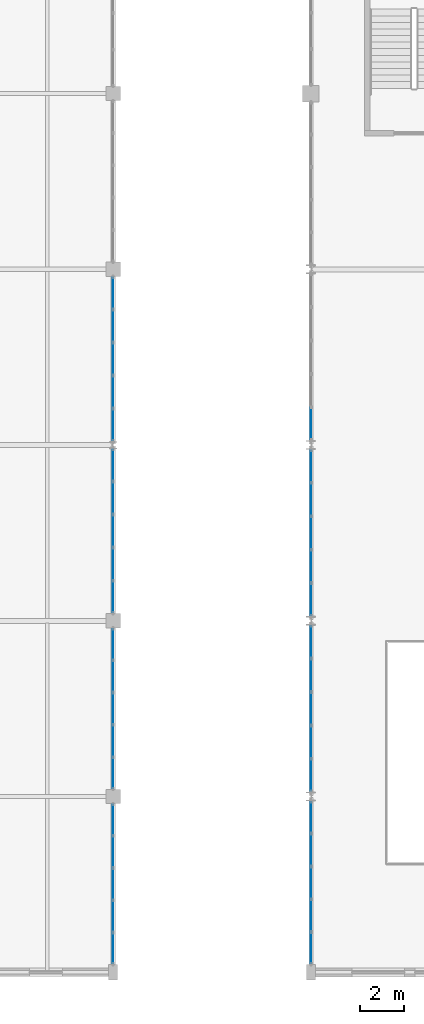
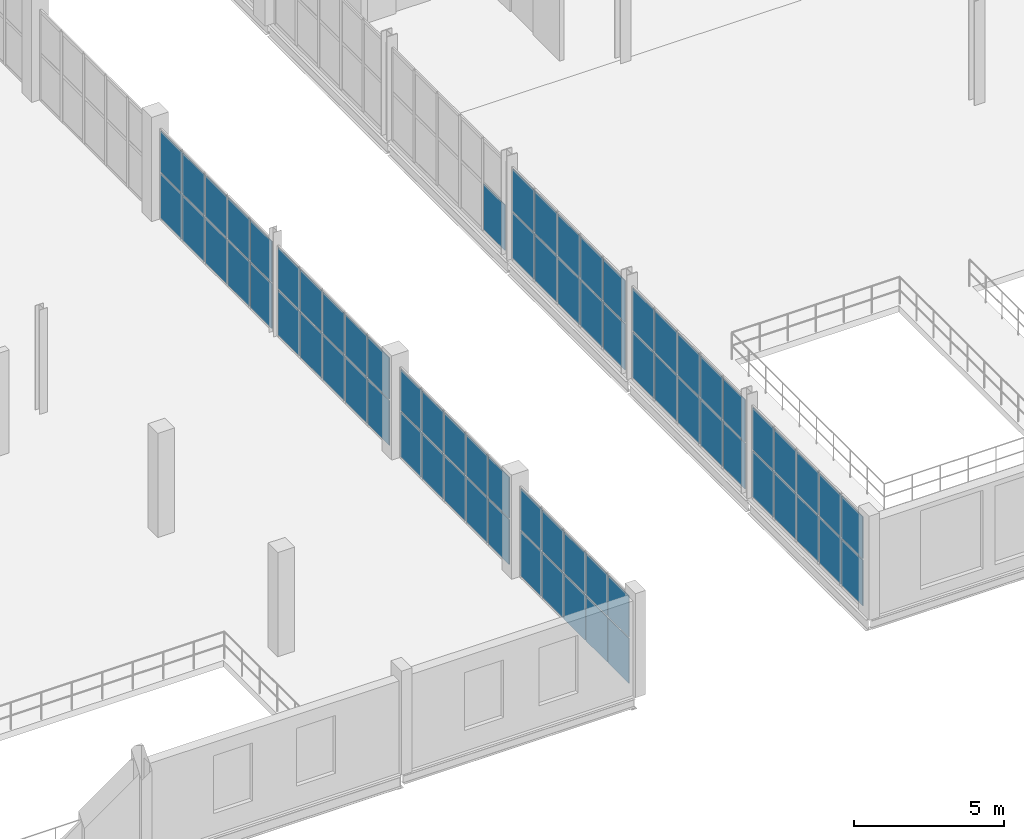
# One storey, part 50 of 85: 71 plates, 8 elements without a shape of their own.
"""IFC4 building model written with IfcOpenShell, lengths in metres."""

import ifcopenshell
import ifcopenshell.guid

model = None  # the IFC model being written
_history = None  # IfcOwnerHistory: only IFC2X3 demands one
_inside = {}  # id of a spatial element -> (the spatial element, [elements in it])
_under = {}  # id of a project, library or spatial element -> (it, [spatial elements below it])
_declared = {}  # id of a project -> (the project, [libraries it declares])
_typed = {}  # id of a type object -> (the type object, [elements of that type])
_made_of = {}  # id of a material, layer set ... -> (it, [elements and type objects made of it])


def new_model(schema):
    """Start an empty IFC model of exactly this schema.

    Asked for "IFC4X3", IfcOpenShell would pick the latest addendum, in which some entities
    have other attributes; the version numbers below select the first issue.
    IFC2X3 requires an IfcOwnerHistory on every rooted entity: one is made here for all.
    """
    global model, _history
    if schema == "IFC4X3":
        model = ifcopenshell.file(schema_version=(4, 3, 0, 0))
    else:
        model = ifcopenshell.file(schema=schema)
    _inside.clear()
    _under.clear()
    _declared.clear()
    _typed.clear()
    _made_of.clear()
    _history = None
    if model.schema == "IFC2X3":
        org = make("IfcOrganization", Name="unknown")
        user = make(
            "IfcPersonAndOrganization",
            ThePerson=make("IfcPerson", FamilyName="unknown"),
            TheOrganization=org,
        )
        app = make(
            "IfcApplication",
            ApplicationDeveloper=org,
            Version="unknown",
            ApplicationFullName="unknown",
            ApplicationIdentifier="unknown",
        )
        _history = make(
            "IfcOwnerHistory",
            OwningUser=user,
            OwningApplication=app,
            ChangeAction="ADDED",
            CreationDate=0,
        )
    return model


def make(cls, **values):
    """One entity of the class cls with the attributes given. An attribute that is None is left unset."""
    return model.create_entity(
        cls, **{name: value for name, value in values.items() if value is not None}
    )


def rooted(cls, **values):
    """An entity with a GlobalId (a new one), such as an element, a storey or a relation."""
    return make(cls, GlobalId=ifcopenshell.guid.new(), OwnerHistory=_history, **values)


def si_unit(unit_type, name, prefix=None):
    """IfcSIUnit, for example si_unit("LENGTHUNIT", "METRE", prefix="MILLI")."""
    return make("IfcSIUnit", UnitType=unit_type, Prefix=prefix, Name=name)


def assignment(units):
    """IfcUnitAssignment: the units of a project."""
    return None if units is None else make("IfcUnitAssignment", Units=units)


def point(xyz):
    """IfcCartesianPoint."""
    return None if xyz is None else make("IfcCartesianPoint", Coordinates=xyz)


def direction(xyz):
    """IfcDirection."""
    return None if xyz is None else make("IfcDirection", DirectionRatios=xyz)


def frame(location, z_axis=None, x_axis=None):
    """IfcAxis2Placement3D, a coordinate frame: its origin and axes. An axis left out is left unset."""
    return make(
        "IfcAxis2Placement3D",
        Location=point(location),
        Axis=direction(z_axis),
        RefDirection=direction(x_axis),
    )


def frame_2d(location, x_axis=None):
    """IfcAxis2Placement2D, a coordinate frame in the plane: its origin and x axis."""
    return make(
        "IfcAxis2Placement2D", Location=point(location), RefDirection=direction(x_axis)
    )


def origin():
    """The frame at (0, 0, 0) with its axes left unset."""
    return frame((0.0, 0.0, 0.0))


def origin_2d():
    """The frame at (0, 0) in the plane with its x axis left unset."""
    return frame_2d((0.0, 0.0))


def place(relative_to, where):
    """IfcLocalPlacement: puts the frame where relative to a parent placement (None: the world)."""
    return make(
        "IfcLocalPlacement", PlacementRelTo=relative_to, RelativePlacement=where
    )


def context(
    kind, dimensions, precision=None, world=None, true_north=None, identifier=None
):
    """IfcGeometricRepresentationContext, for example the 3D "Model" context."""
    return make(
        "IfcGeometricRepresentationContext",
        ContextIdentifier=identifier,
        ContextType=kind,
        CoordinateSpaceDimension=dimensions,
        Precision=precision,
        WorldCoordinateSystem=world,
        TrueNorth=true_north,
    )


def subcontext(parent, identifier, kind, view, scale=None):
    """IfcGeometricRepresentationSubContext, for example "Body" below "Model"."""
    return make(
        "IfcGeometricRepresentationSubContext",
        ContextIdentifier=identifier,
        ContextType=kind,
        ParentContext=parent,
        TargetScale=scale,
        TargetView=view,
    )


def project(units=None, contexts=None):
    """IfcProject with its units and contexts."""
    return rooted(
        "IfcProject",
        Name="project",
        RepresentationContexts=contexts,
        UnitsInContext=assignment(units),
    )


def spatial(cls, under=None, at=None, **own):
    """A site, building, storey or space (cls), placed at a placement, below another one or the project."""
    s = rooted(cls, ObjectPlacement=at, **own)
    if under is not None:
        _under.setdefault(under.id(), (under, []))[1].append(s)
    return s


def profile(cls, at=None, kind="AREA", **sizes):
    """A parametric profile (cls). Its sizes go by their IFC names, for example OverallWidth=200.0."""
    return make(cls, ProfileType=kind, Position=at, **sizes)


def rectangle(**sizes):
    """IfcRectangleProfileDef."""
    return profile("IfcRectangleProfileDef", **sizes)


def extrude(swept, where, along, depth):
    """IfcExtrudedAreaSolid: the profile swept, set in the frame where, extruded along a direction by depth."""
    return make(
        "IfcExtrudedAreaSolid",
        SweptArea=swept,
        Position=where,
        ExtrudedDirection=direction(along),
        Depth=depth,
    )


def shape(context_of_items, identifier, shape_type, items):
    """IfcShapeRepresentation: the items that make up one representation, for example the "Body"."""
    return make(
        "IfcShapeRepresentation",
        ContextOfItems=context_of_items,
        RepresentationIdentifier=identifier,
        RepresentationType=shape_type,
        Items=items,
    )


def material(Name=None, Category=None):
    """IfcMaterial."""
    return make("IfcMaterial", Name=Name, Category=Category)


def layer(
    of_material, thickness, ventilated=None, Name=None, Category=None, Priority=None
):
    """IfcMaterialLayer: one layer of a wall or slab, of a material (None: an air gap)."""
    return make(
        "IfcMaterialLayer",
        Material=of_material,
        LayerThickness=thickness,
        IsVentilated=ventilated,
        Name=Name,
        Category=Category,
        Priority=Priority,
    )


def layer_set(layers, Name=None):
    """IfcMaterialLayerSet."""
    return make("IfcMaterialLayerSet", MaterialLayers=layers, LayerSetName=Name)


def made_of(thing, what):
    """Note that an element or type object is made of a material, layer set ...; save() writes the relation."""
    if what is not None:
        _made_of.setdefault(what.id(), (what, []))[1].append(thing)
    return thing


def type_object(cls, material=None, **own):
    """A type object (cls), such as IfcWallType, which elements share."""
    return made_of(rooted(cls, **own), material)


def element(
    cls,
    number,
    at=None,
    inside=None,
    cuts=None,
    type_object=None,
    material=None,
    context=None,
    identifier="Body",
    shape_type=None,
    held_by="IfcProductDefinitionShape",
    body=None,
    shapes=None,
    **own,
):
    """One element of the class cls, such as IfcWall. Its Tag is "e" and its number.

    at: its placement. inside: the storey or other place that contains it. cuts: it is an
    opening in that element (IfcRelVoidsElement). A single representation is given by context,
    identifier, shape_type and body (its items); several are given by shapes. held_by: the class
    of the entity that holds the representations. save() writes the other relations.
    """
    e = rooted(cls, Tag="e%d" % number, ObjectPlacement=at, **own)
    if body is not None:
        shapes = [shape(context, identifier, shape_type, body)]
    if shapes is not None:
        e.Representation = make(held_by, Representations=shapes)
    if inside is not None:
        _inside.setdefault(inside.id(), (inside, []))[1].append(e)
    if cuts is not None:
        rooted(
            "IfcRelVoidsElement", RelatingBuildingElement=cuts, RelatedOpeningElement=e
        )
    if type_object is not None:
        _typed.setdefault(type_object.id(), (type_object, []))[1].append(e)
    return made_of(e, material)


def aggregate(whole, parts):
    """IfcRelAggregates: a whole, such as a stair, and the parts it consists of."""
    return rooted("IfcRelAggregates", RelatingObject=whole, RelatedObjects=parts)


def save(model, path):
    """Write the relations noted so far, then the file.

    IfcRelAggregates (storeys below a building ...), IfcRelContainedInSpatialStructure (elements
    in a storey), IfcRelDefinesByType, IfcRelAssociatesMaterial and IfcRelDeclares: one each for
    every whole, place, type object, material and project.
    """
    for whole, parts in _under.values():
        aggregate(whole, parts)
    for where, things in _inside.values():
        rooted(
            "IfcRelContainedInSpatialStructure",
            RelatedElements=things,
            RelatingStructure=where,
        )
    for kind, things in _typed.values():
        rooted("IfcRelDefinesByType", RelatedObjects=things, RelatingType=kind)
    for what, things in _made_of.values():
        rooted("IfcRelAssociatesMaterial", RelatedObjects=things, RelatingMaterial=what)
    for by, libraries in _declared.values():
        rooted("IfcRelDeclares", RelatingContext=by, RelatedDefinitions=libraries)
    model.write(path)


model = new_model("IFC4")

# Units and contexts
model_context = context("Model", 3, precision=1e-05, world=origin(), true_north=direction((0.0, 1.0)))
body_context = subcontext(model_context, "Body", "Model", "MODEL_VIEW")
ifc_project = project(units=[si_unit("LENGTHUNIT", "METRE"), si_unit("AREAUNIT", "SQUARE_METRE"), si_unit("VOLUMEUNIT", "CUBIC_METRE"), si_unit("PLANEANGLEUNIT", "RADIAN"), si_unit("MASSUNIT", "GRAM", prefix="KILO")], contexts=[model_context])

# Site, building, storey
site_placement = place(None, origin())
site = spatial("IfcSite", under=ifc_project, at=site_placement, CompositionType="ELEMENT")
building_placement = place(site_placement, origin())
building = spatial("IfcBuilding", under=site, at=building_placement, Name="Marnock Terrace Opera House", CompositionType="ELEMENT")
storey_placement = place(building_placement, frame((0.0, 0.0, 10.199951171875)))
storey = spatial("IfcBuildingStorey", under=building, at=storey_placement, Name="L02", CompositionType="ELEMENT", Elevation=10.199951171875)

# Curtain wall, plates
ifc_material_1 = material(Name="Anodised architectural bronze aluminium framing", Category="aluminium")
ifc_layer_1 = layer(ifc_material_1, 0.159912109375)
ifc_layer_set_1 = layer_set([ifc_layer_1], Name="Anodised architectural bronze aluminium framing")
curtain_wall_type_1 = type_object("IfcCurtainWallType", Name="CW-FOYER-80x42", PredefinedType="NOTDEFINED", material=ifc_layer_set_1)
curtain_wall_1_placement = place(storey_placement, origin())
curtain_wall_1 = element("IfcCurtainWall", 1, at=curtain_wall_1_placement, inside=storey, type_object=curtain_wall_type_1, Name="L02 glazed Beaux-Arts colonnade curtain wall CW-V1W-L02-01", PredefinedType="NOTDEFINED")
ifc_material_2 = material(Name="Double-glazed acoustic low-E laminated glass", Category="glass")
ifc_layer_2 = layer(ifc_material_2, 0.028076171875)
ifc_layer_set_2 = layer_set([ifc_layer_2], Name="Double-glazed acoustic low-E laminated glass")
plate_type = type_object("IfcPlateType", Name="CWP-GLZ-28", PredefinedType="CURTAIN_PANEL", material=ifc_layer_set_2)
plate_1_placement = place(storey_placement, frame((55.0, 9.106689453125, 0.06005859375), z_axis=(0.0, 0.0, 1.0), x_axis=(0.0, 1.0, 0.0)))
plate_1 = element("IfcPlate", 2, at=plate_1_placement, type_object=plate_type, Name="CW-62 panel 1.1", PredefinedType="CURTAIN_PANEL", context=body_context, shape_type="SweptSolid", body=[
    extrude(rectangle(XDim=1.401611328125, YDim=0.028076171875, at=origin_2d()), origin(), (0.0, 0.0, 1.0), 1.861328125),
])
plate_2_placement = place(storey_placement, frame((55.0, 9.106689453125, 1.9814453125), z_axis=(0.0, 0.0, 1.0), x_axis=(0.0, 1.0, 0.0)))
plate_2 = element("IfcPlate", 3, at=plate_2_placement, type_object=plate_type, Name="CW-62 panel 1.2", PredefinedType="CURTAIN_PANEL", context=body_context, shape_type="SweptSolid", body=[
    extrude(rectangle(XDim=1.401611328125, YDim=0.028076171875, at=origin_2d()), origin(), (0.0, 0.0, 1.0), 1.711181640625),
])
plate_3_placement = place(storey_placement, frame((55.0, 10.58349609375, 0.06005859375), z_axis=(0.0, 0.0, 1.0), x_axis=(0.0, 1.0, 0.0)))
plate_3 = element("IfcPlate", 4, at=plate_3_placement, type_object=plate_type, Name="CW-62 panel 2.1", PredefinedType="CURTAIN_PANEL", context=body_context, shape_type="SweptSolid", body=[
    extrude(rectangle(XDim=1.431640625, YDim=0.028076171875, at=origin_2d()), origin(), (0.0, 0.0, 1.0), 1.861328125),
])
plate_4_placement = place(storey_placement, frame((55.0, 10.58349609375, 1.9814453125), z_axis=(0.0, 0.0, 1.0), x_axis=(0.0, 1.0, 0.0)))
plate_4 = element("IfcPlate", 5, at=plate_4_placement, type_object=plate_type, Name="CW-62 panel 2.2", PredefinedType="CURTAIN_PANEL", context=body_context, shape_type="SweptSolid", body=[
    extrude(rectangle(XDim=1.431640625, YDim=0.028076171875, at=origin_2d()), origin(), (0.0, 0.0, 1.0), 1.711181640625),
])
plate_5_placement = place(storey_placement, frame((55.0, 12.074951171875, 0.06005859375), z_axis=(0.0, 0.0, 1.0), x_axis=(0.0, 1.0, 0.0)))
plate_5 = element("IfcPlate", 6, at=plate_5_placement, type_object=plate_type, Name="CW-62 panel 3.1", PredefinedType="CURTAIN_PANEL", context=body_context, shape_type="SweptSolid", body=[
    extrude(rectangle(XDim=1.431640625, YDim=0.028076171875, at=origin_2d()), origin(), (0.0, 0.0, 1.0), 1.861328125),
])
plate_6_placement = place(storey_placement, frame((55.0, 12.074951171875, 1.9814453125), z_axis=(0.0, 0.0, 1.0), x_axis=(0.0, 1.0, 0.0)))
plate_6 = element("IfcPlate", 7, at=plate_6_placement, type_object=plate_type, Name="CW-62 panel 3.2", PredefinedType="CURTAIN_PANEL", context=body_context, shape_type="SweptSolid", body=[
    extrude(rectangle(XDim=1.431640625, YDim=0.028076171875, at=origin_2d()), origin(), (0.0, 0.0, 1.0), 1.711181640625),
])
plate_7_placement = place(storey_placement, frame((55.0, 13.566650390625, 0.06005859375), z_axis=(0.0, 0.0, 1.0), x_axis=(0.0, 1.0, 0.0)))
plate_7 = element("IfcPlate", 8, at=plate_7_placement, type_object=plate_type, Name="CW-62 panel 4.1", PredefinedType="CURTAIN_PANEL", context=body_context, shape_type="SweptSolid", body=[
    extrude(rectangle(XDim=1.431640625, YDim=0.028076171875, at=origin_2d()), origin(), (0.0, 0.0, 1.0), 1.861328125),
])
plate_8_placement = place(storey_placement, frame((55.0, 13.566650390625, 1.9814453125), z_axis=(0.0, 0.0, 1.0), x_axis=(0.0, 1.0, 0.0)))
plate_8 = element("IfcPlate", 9, at=plate_8_placement, type_object=plate_type, Name="CW-62 panel 4.2", PredefinedType="CURTAIN_PANEL", context=body_context, shape_type="SweptSolid", body=[
    extrude(rectangle(XDim=1.431640625, YDim=0.028076171875, at=origin_2d()), origin(), (0.0, 0.0, 1.0), 1.711181640625),
])
plate_9_placement = place(storey_placement, frame((55.0, 15.043212890625, 0.06005859375), z_axis=(0.0, 0.0, 1.0), x_axis=(0.0, 1.0, 0.0)))
plate_9 = element("IfcPlate", 10, at=plate_9_placement, type_object=plate_type, Name="CW-62 panel 5.1", PredefinedType="CURTAIN_PANEL", context=body_context, shape_type="SweptSolid", body=[
    extrude(rectangle(XDim=1.401611328125, YDim=0.028076171875, at=origin_2d()), origin(), (0.0, 0.0, 1.0), 1.861328125),
])
plate_10_placement = place(storey_placement, frame((55.0, 15.043212890625, 1.9814453125), z_axis=(0.0, 0.0, 1.0), x_axis=(0.0, 1.0, 0.0)))
plate_10 = element("IfcPlate", 11, at=plate_10_placement, type_object=plate_type, Name="CW-62 panel 5.2", PredefinedType="CURTAIN_PANEL", context=body_context, shape_type="SweptSolid", body=[
    extrude(rectangle(XDim=1.401611328125, YDim=0.028076171875, at=origin_2d()), origin(), (0.0, 0.0, 1.0), 1.711181640625),
])
aggregate(curtain_wall_1, [plate_1, plate_2, plate_3, plate_4, plate_5, plate_6, plate_7, plate_8, plate_9, plate_10])

curtain_wall_2_placement = place(storey_placement, origin())
curtain_wall_2 = element("IfcCurtainWall", 12, at=curtain_wall_2_placement, inside=storey, type_object=curtain_wall_type_1, Name="L02 glazed Beaux-Arts colonnade curtain wall CW-V1W-L02-02", PredefinedType="NOTDEFINED")
plate_11_placement = place(storey_placement, frame((55.0, 16.9716796875, 0.06005859375), z_axis=(0.0, 0.0, 1.0), x_axis=(0.0, 1.0, 0.0)))
plate_11 = element("IfcPlate", 13, at=plate_11_placement, type_object=plate_type, Name="CW-62 panel 1.1", PredefinedType="CURTAIN_PANEL", context=body_context, shape_type="SweptSolid", body=[
    extrude(rectangle(XDim=1.431640625, YDim=0.028076171875, at=origin_2d()), origin(), (0.0, 0.0, 1.0), 1.861328125),
])
plate_12_placement = place(storey_placement, frame((55.0, 16.9716796875, 1.9814453125), z_axis=(0.0, 0.0, 1.0), x_axis=(0.0, 1.0, 0.0)))
plate_12 = element("IfcPlate", 14, at=plate_12_placement, type_object=plate_type, Name="CW-62 panel 1.2", PredefinedType="CURTAIN_PANEL", context=body_context, shape_type="SweptSolid", body=[
    extrude(rectangle(XDim=1.431640625, YDim=0.028076171875, at=origin_2d()), origin(), (0.0, 0.0, 1.0), 1.711181640625),
])
plate_13_placement = place(storey_placement, frame((55.0, 18.478515625, 0.06005859375), z_axis=(0.0, 0.0, 1.0), x_axis=(0.0, 1.0, 0.0)))
plate_13 = element("IfcPlate", 15, at=plate_13_placement, type_object=plate_type, Name="CW-62 panel 2.1", PredefinedType="CURTAIN_PANEL", context=body_context, shape_type="SweptSolid", body=[
    extrude(rectangle(XDim=1.461669921875, YDim=0.028076171875, at=origin_2d()), origin(), (0.0, 0.0, 1.0), 1.861328125),
])
plate_14_placement = place(storey_placement, frame((55.0, 18.478515625, 1.9814453125), z_axis=(0.0, 0.0, 1.0), x_axis=(0.0, 1.0, 0.0)))
plate_14 = element("IfcPlate", 16, at=plate_14_placement, type_object=plate_type, Name="CW-62 panel 2.2", PredefinedType="CURTAIN_PANEL", context=body_context, shape_type="SweptSolid", body=[
    extrude(rectangle(XDim=1.461669921875, YDim=0.028076171875, at=origin_2d()), origin(), (0.0, 0.0, 1.0), 1.711181640625),
])
plate_15_placement = place(storey_placement, frame((55.0, 20.0, 0.06005859375), z_axis=(0.0, 0.0, 1.0), x_axis=(0.0, 1.0, 0.0)))
plate_15 = element("IfcPlate", 17, at=plate_15_placement, type_object=plate_type, Name="CW-62 panel 3.1", PredefinedType="CURTAIN_PANEL", context=body_context, shape_type="SweptSolid", body=[
    extrude(rectangle(XDim=1.461669921875, YDim=0.028076171875, at=origin_2d()), origin(), (0.0, 0.0, 1.0), 1.861328125),
])
plate_16_placement = place(storey_placement, frame((55.0, 20.0, 1.9814453125), z_axis=(0.0, 0.0, 1.0), x_axis=(0.0, 1.0, 0.0)))
plate_16 = element("IfcPlate", 18, at=plate_16_placement, type_object=plate_type, Name="CW-62 panel 3.2", PredefinedType="CURTAIN_PANEL", context=body_context, shape_type="SweptSolid", body=[
    extrude(rectangle(XDim=1.461669921875, YDim=0.028076171875, at=origin_2d()), origin(), (0.0, 0.0, 1.0), 1.711181640625),
])
plate_17_placement = place(storey_placement, frame((55.0, 21.521484375, 0.06005859375), z_axis=(0.0, 0.0, 1.0), x_axis=(0.0, 1.0, 0.0)))
plate_17 = element("IfcPlate", 19, at=plate_17_placement, type_object=plate_type, Name="CW-62 panel 4.1", PredefinedType="CURTAIN_PANEL", context=body_context, shape_type="SweptSolid", body=[
    extrude(rectangle(XDim=1.461669921875, YDim=0.028076171875, at=origin_2d()), origin(), (0.0, 0.0, 1.0), 1.861328125),
])
plate_18_placement = place(storey_placement, frame((55.0, 21.521484375, 1.9814453125), z_axis=(0.0, 0.0, 1.0), x_axis=(0.0, 1.0, 0.0)))
plate_18 = element("IfcPlate", 20, at=plate_18_placement, type_object=plate_type, Name="CW-62 panel 4.2", PredefinedType="CURTAIN_PANEL", context=body_context, shape_type="SweptSolid", body=[
    extrude(rectangle(XDim=1.461669921875, YDim=0.028076171875, at=origin_2d()), origin(), (0.0, 0.0, 1.0), 1.711181640625),
])
plate_19_placement = place(storey_placement, frame((55.0, 23.0283203125, 0.06005859375), z_axis=(0.0, 0.0, 1.0), x_axis=(0.0, 1.0, 0.0)))
plate_19 = element("IfcPlate", 21, at=plate_19_placement, type_object=plate_type, Name="CW-62 panel 5.1", PredefinedType="CURTAIN_PANEL", context=body_context, shape_type="SweptSolid", body=[
    extrude(rectangle(XDim=1.431640625, YDim=0.028076171875, at=origin_2d()), origin(), (0.0, 0.0, 1.0), 1.861328125),
])
plate_20_placement = place(storey_placement, frame((55.0, 23.0283203125, 1.9814453125), z_axis=(0.0, 0.0, 1.0), x_axis=(0.0, 1.0, 0.0)))
plate_20 = element("IfcPlate", 22, at=plate_20_placement, type_object=plate_type, Name="CW-62 panel 5.2", PredefinedType="CURTAIN_PANEL", context=body_context, shape_type="SweptSolid", body=[
    extrude(rectangle(XDim=1.431640625, YDim=0.028076171875, at=origin_2d()), origin(), (0.0, 0.0, 1.0), 1.711181640625),
])
aggregate(curtain_wall_2, [plate_11, plate_12, plate_13, plate_14, plate_15, plate_16, plate_17, plate_18, plate_19, plate_20])

curtain_wall_3_placement = place(storey_placement, origin())
curtain_wall_3 = element("IfcCurtainWall", 23, at=curtain_wall_3_placement, inside=storey, type_object=curtain_wall_type_1, Name="L02 glazed Beaux-Arts colonnade curtain wall CW-V1W-L02-03", PredefinedType="NOTDEFINED")
plate_21_placement = place(storey_placement, frame((55.0, 24.9716796875, 0.06005859375), z_axis=(0.0, 0.0, 1.0), x_axis=(0.0, 1.0, 0.0)))
plate_21 = element("IfcPlate", 24, at=plate_21_placement, type_object=plate_type, Name="CW-62 panel 1.1", PredefinedType="CURTAIN_PANEL", context=body_context, shape_type="SweptSolid", body=[
    extrude(rectangle(XDim=1.431640625, YDim=0.028076171875, at=origin_2d()), origin(), (0.0, 0.0, 1.0), 1.861328125),
])
plate_22_placement = place(storey_placement, frame((55.0, 24.9716796875, 1.9814453125), z_axis=(0.0, 0.0, 1.0), x_axis=(0.0, 1.0, 0.0)))
plate_22 = element("IfcPlate", 25, at=plate_22_placement, type_object=plate_type, Name="CW-62 panel 1.2", PredefinedType="CURTAIN_PANEL", context=body_context, shape_type="SweptSolid", body=[
    extrude(rectangle(XDim=1.431640625, YDim=0.028076171875, at=origin_2d()), origin(), (0.0, 0.0, 1.0), 1.711181640625),
])
plate_23_placement = place(storey_placement, frame((55.0, 26.478515625, 0.06005859375), z_axis=(0.0, 0.0, 1.0), x_axis=(0.0, 1.0, 0.0)))
plate_23 = element("IfcPlate", 26, at=plate_23_placement, type_object=plate_type, Name="CW-62 panel 2.1", PredefinedType="CURTAIN_PANEL", context=body_context, shape_type="SweptSolid", body=[
    extrude(rectangle(XDim=1.461669921875, YDim=0.028076171875, at=origin_2d()), origin(), (0.0, 0.0, 1.0), 1.861328125),
])
plate_24_placement = place(storey_placement, frame((55.0, 26.478515625, 1.9814453125), z_axis=(0.0, 0.0, 1.0), x_axis=(0.0, 1.0, 0.0)))
plate_24 = element("IfcPlate", 27, at=plate_24_placement, type_object=plate_type, Name="CW-62 panel 2.2", PredefinedType="CURTAIN_PANEL", context=body_context, shape_type="SweptSolid", body=[
    extrude(rectangle(XDim=1.461669921875, YDim=0.028076171875, at=origin_2d()), origin(), (0.0, 0.0, 1.0), 1.711181640625),
])
plate_25_placement = place(storey_placement, frame((55.0, 28.0, 0.06005859375), z_axis=(0.0, 0.0, 1.0), x_axis=(0.0, 1.0, 0.0)))
plate_25 = element("IfcPlate", 28, at=plate_25_placement, type_object=plate_type, Name="CW-62 panel 3.1", PredefinedType="CURTAIN_PANEL", context=body_context, shape_type="SweptSolid", body=[
    extrude(rectangle(XDim=1.461669921875, YDim=0.028076171875, at=origin_2d()), origin(), (0.0, 0.0, 1.0), 1.861328125),
])
plate_26_placement = place(storey_placement, frame((55.0, 28.0, 1.9814453125), z_axis=(0.0, 0.0, 1.0), x_axis=(0.0, 1.0, 0.0)))
plate_26 = element("IfcPlate", 29, at=plate_26_placement, type_object=plate_type, Name="CW-62 panel 3.2", PredefinedType="CURTAIN_PANEL", context=body_context, shape_type="SweptSolid", body=[
    extrude(rectangle(XDim=1.461669921875, YDim=0.028076171875, at=origin_2d()), origin(), (0.0, 0.0, 1.0), 1.711181640625),
])
plate_27_placement = place(storey_placement, frame((55.0, 29.521484375, 0.06005859375), z_axis=(0.0, 0.0, 1.0), x_axis=(0.0, 1.0, 0.0)))
plate_27 = element("IfcPlate", 30, at=plate_27_placement, type_object=plate_type, Name="CW-62 panel 4.1", PredefinedType="CURTAIN_PANEL", context=body_context, shape_type="SweptSolid", body=[
    extrude(rectangle(XDim=1.461669921875, YDim=0.028076171875, at=origin_2d()), origin(), (0.0, 0.0, 1.0), 1.861328125),
])
plate_28_placement = place(storey_placement, frame((55.0, 29.521484375, 1.9814453125), z_axis=(0.0, 0.0, 1.0), x_axis=(0.0, 1.0, 0.0)))
plate_28 = element("IfcPlate", 31, at=plate_28_placement, type_object=plate_type, Name="CW-62 panel 4.2", PredefinedType="CURTAIN_PANEL", context=body_context, shape_type="SweptSolid", body=[
    extrude(rectangle(XDim=1.461669921875, YDim=0.028076171875, at=origin_2d()), origin(), (0.0, 0.0, 1.0), 1.711181640625),
])
plate_29_placement = place(storey_placement, frame((55.0, 31.0283203125, 0.06005859375), z_axis=(0.0, 0.0, 1.0), x_axis=(0.0, 1.0, 0.0)))
plate_29 = element("IfcPlate", 32, at=plate_29_placement, type_object=plate_type, Name="CW-62 panel 5.1", PredefinedType="CURTAIN_PANEL", context=body_context, shape_type="SweptSolid", body=[
    extrude(rectangle(XDim=1.431640625, YDim=0.028076171875, at=origin_2d()), origin(), (0.0, 0.0, 1.0), 1.861328125),
])
plate_30_placement = place(storey_placement, frame((55.0, 31.0283203125, 1.9814453125), z_axis=(0.0, 0.0, 1.0), x_axis=(0.0, 1.0, 0.0)))
plate_30 = element("IfcPlate", 33, at=plate_30_placement, type_object=plate_type, Name="CW-62 panel 5.2", PredefinedType="CURTAIN_PANEL", context=body_context, shape_type="SweptSolid", body=[
    extrude(rectangle(XDim=1.431640625, YDim=0.028076171875, at=origin_2d()), origin(), (0.0, 0.0, 1.0), 1.711181640625),
])
aggregate(curtain_wall_3, [plate_21, plate_22, plate_23, plate_24, plate_25, plate_26, plate_27, plate_28, plate_29, plate_30])

# Curtain wall, plate
curtain_wall_4_placement = place(storey_placement, origin())
curtain_wall_4 = element("IfcCurtainWall", 34, at=curtain_wall_4_placement, inside=storey, type_object=curtain_wall_type_1, Name="L02 glazed Beaux-Arts colonnade curtain wall CW-V1W-L02-04", PredefinedType="NOTDEFINED")
plate_31_placement = place(storey_placement, frame((55.0, 32.9716796875, 0.06005859375), z_axis=(0.0, 0.0, 1.0), x_axis=(0.0, 1.0, 0.0)))
plate_31 = element("IfcPlate", 35, at=plate_31_placement, type_object=plate_type, Name="CW-62 panel 1.1", PredefinedType="CURTAIN_PANEL", context=body_context, shape_type="SweptSolid", body=[
    extrude(rectangle(XDim=1.431640625, YDim=0.028076171875, at=origin_2d()), origin(), (0.0, 0.0, 1.0), 1.861328125),
])
aggregate(curtain_wall_4, [plate_31])

# Curtain wall, plates
ifc_layer_3 = layer(ifc_material_1, 0.159912109375)
ifc_layer_set_3 = layer_set([ifc_layer_3], Name="Anodised architectural bronze aluminium framing")
curtain_wall_type_2 = type_object("IfcCurtainWallType", Name="CW-COURT-80x42", PredefinedType="NOTDEFINED", material=ifc_layer_set_3)
curtain_wall_5_placement = place(storey_placement, origin())
curtain_wall_5 = element("IfcCurtainWall", 36, at=curtain_wall_5_placement, inside=storey, type_object=curtain_wall_type_2, Name="L02 glazed Beaux-Arts colonnade curtain wall CW-V3E-L02-01", PredefinedType="NOTDEFINED")
plate_32_placement = place(storey_placement, frame((46.0, 9.09423828125, 0.06005859375), z_axis=(0.0, 0.0, 1.0), x_axis=(0.0, 1.0, 0.0)))
plate_32 = element("IfcPlate", 37, at=plate_32_placement, type_object=plate_type, Name="CW-12 panel 1.1", PredefinedType="CURTAIN_PANEL", context=body_context, shape_type="SweptSolid", body=[
    extrude(rectangle(XDim=1.376708984375, YDim=0.028076171875, at=origin_2d()), origin(), (0.0, 0.0, 1.0), 1.82470703125),
])
plate_33_placement = place(storey_placement, frame((46.0, 9.09423828125, 1.94482421875), z_axis=(0.0, 0.0, 1.0), x_axis=(0.0, 1.0, 0.0)))
plate_33 = element("IfcPlate", 38, at=plate_33_placement, type_object=plate_type, Name="CW-12 panel 1.2", PredefinedType="CURTAIN_PANEL", context=body_context, shape_type="SweptSolid", body=[
    extrude(rectangle(XDim=1.376708984375, YDim=0.028076171875, at=origin_2d()), origin(), (0.0, 0.0, 1.0), 1.677490234375),
])
plate_34_placement = place(storey_placement, frame((46.0, 10.5458984375, 0.06005859375), z_axis=(0.0, 0.0, 1.0), x_axis=(0.0, 1.0, 0.0)))
plate_34 = element("IfcPlate", 39, at=plate_34_placement, type_object=plate_type, Name="CW-12 panel 2.1", PredefinedType="CURTAIN_PANEL", context=body_context, shape_type="SweptSolid", body=[
    extrude(rectangle(XDim=1.406494140625, YDim=0.028076171875, at=origin_2d()), origin(), (0.0, 0.0, 1.0), 1.82470703125),
])
plate_35_placement = place(storey_placement, frame((46.0, 10.5458984375, 1.94482421875), z_axis=(0.0, 0.0, 1.0), x_axis=(0.0, 1.0, 0.0)))
plate_35 = element("IfcPlate", 40, at=plate_35_placement, type_object=plate_type, Name="CW-12 panel 2.2", PredefinedType="CURTAIN_PANEL", context=body_context, shape_type="SweptSolid", body=[
    extrude(rectangle(XDim=1.406494140625, YDim=0.028076171875, at=origin_2d()), origin(), (0.0, 0.0, 1.0), 1.677490234375),
])
plate_36_placement = place(storey_placement, frame((46.0, 12.012451171875, 0.06005859375), z_axis=(0.0, 0.0, 1.0), x_axis=(0.0, 1.0, 0.0)))
plate_36 = element("IfcPlate", 41, at=plate_36_placement, type_object=plate_type, Name="CW-12 panel 3.1", PredefinedType="CURTAIN_PANEL", context=body_context, shape_type="SweptSolid", body=[
    extrude(rectangle(XDim=1.406494140625, YDim=0.028076171875, at=origin_2d()), origin(), (0.0, 0.0, 1.0), 1.82470703125),
])
plate_37_placement = place(storey_placement, frame((46.0, 12.012451171875, 1.94482421875), z_axis=(0.0, 0.0, 1.0), x_axis=(0.0, 1.0, 0.0)))
plate_37 = element("IfcPlate", 42, at=plate_37_placement, type_object=plate_type, Name="CW-12 panel 3.2", PredefinedType="CURTAIN_PANEL", context=body_context, shape_type="SweptSolid", body=[
    extrude(rectangle(XDim=1.406494140625, YDim=0.028076171875, at=origin_2d()), origin(), (0.0, 0.0, 1.0), 1.677490234375),
])
plate_38_placement = place(storey_placement, frame((46.0, 13.47900390625, 0.06005859375), z_axis=(0.0, 0.0, 1.0), x_axis=(0.0, 1.0, 0.0)))
plate_38 = element("IfcPlate", 43, at=plate_38_placement, type_object=plate_type, Name="CW-12 panel 4.1", PredefinedType="CURTAIN_PANEL", context=body_context, shape_type="SweptSolid", body=[
    extrude(rectangle(XDim=1.406494140625, YDim=0.028076171875, at=origin_2d()), origin(), (0.0, 0.0, 1.0), 1.82470703125),
])
plate_39_placement = place(storey_placement, frame((46.0, 13.47900390625, 1.94482421875), z_axis=(0.0, 0.0, 1.0), x_axis=(0.0, 1.0, 0.0)))
plate_39 = element("IfcPlate", 44, at=plate_39_placement, type_object=plate_type, Name="CW-12 panel 4.2", PredefinedType="CURTAIN_PANEL", context=body_context, shape_type="SweptSolid", body=[
    extrude(rectangle(XDim=1.406494140625, YDim=0.028076171875, at=origin_2d()), origin(), (0.0, 0.0, 1.0), 1.677490234375),
])
plate_40_placement = place(storey_placement, frame((46.0, 14.9306640625, 0.06005859375), z_axis=(0.0, 0.0, 1.0), x_axis=(0.0, 1.0, 0.0)))
plate_40 = element("IfcPlate", 45, at=plate_40_placement, type_object=plate_type, Name="CW-12 panel 5.1", PredefinedType="CURTAIN_PANEL", context=body_context, shape_type="SweptSolid", body=[
    extrude(rectangle(XDim=1.376708984375, YDim=0.028076171875, at=origin_2d()), origin(), (0.0, 0.0, 1.0), 1.82470703125),
])
plate_41_placement = place(storey_placement, frame((46.0, 14.9306640625, 1.94482421875), z_axis=(0.0, 0.0, 1.0), x_axis=(0.0, 1.0, 0.0)))
plate_41 = element("IfcPlate", 46, at=plate_41_placement, type_object=plate_type, Name="CW-12 panel 5.2", PredefinedType="CURTAIN_PANEL", context=body_context, shape_type="SweptSolid", body=[
    extrude(rectangle(XDim=1.376708984375, YDim=0.028076171875, at=origin_2d()), origin(), (0.0, 0.0, 1.0), 1.677490234375),
])
aggregate(curtain_wall_5, [plate_32, plate_33, plate_34, plate_35, plate_36, plate_37, plate_38, plate_39, plate_40, plate_41])

curtain_wall_6_placement = place(storey_placement, origin())
curtain_wall_6 = element("IfcCurtainWall", 47, at=curtain_wall_6_placement, inside=storey, type_object=curtain_wall_type_2, Name="L02 glazed Beaux-Arts colonnade curtain wall CW-V3E-L02-02", PredefinedType="NOTDEFINED")
plate_42_placement = place(storey_placement, frame((46.0, 17.07177734375, 0.06005859375), z_axis=(0.0, 0.0, 1.0), x_axis=(0.0, 1.0, 0.0)))
plate_42 = element("IfcPlate", 48, at=plate_42_placement, type_object=plate_type, Name="CW-12 panel 1.1", PredefinedType="CURTAIN_PANEL", context=body_context, shape_type="SweptSolid", body=[
    extrude(rectangle(XDim=1.381591796875, YDim=0.028076171875, at=origin_2d()), origin(), (0.0, 0.0, 1.0), 1.82470703125),
])
plate_43_placement = place(storey_placement, frame((46.0, 17.07177734375, 1.94482421875), z_axis=(0.0, 0.0, 1.0), x_axis=(0.0, 1.0, 0.0)))
plate_43 = element("IfcPlate", 49, at=plate_43_placement, type_object=plate_type, Name="CW-12 panel 1.2", PredefinedType="CURTAIN_PANEL", context=body_context, shape_type="SweptSolid", body=[
    extrude(rectangle(XDim=1.381591796875, YDim=0.028076171875, at=origin_2d()), origin(), (0.0, 0.0, 1.0), 1.677490234375),
])
plate_44_placement = place(storey_placement, frame((46.0, 18.5283203125, 0.06005859375), z_axis=(0.0, 0.0, 1.0), x_axis=(0.0, 1.0, 0.0)))
plate_44 = element("IfcPlate", 50, at=plate_44_placement, type_object=plate_type, Name="CW-12 panel 2.1", PredefinedType="CURTAIN_PANEL", context=body_context, shape_type="SweptSolid", body=[
    extrude(rectangle(XDim=1.41162109375, YDim=0.028076171875, at=origin_2d()), origin(), (0.0, 0.0, 1.0), 1.82470703125),
])
plate_45_placement = place(storey_placement, frame((46.0, 18.5283203125, 1.94482421875), z_axis=(0.0, 0.0, 1.0), x_axis=(0.0, 1.0, 0.0)))
plate_45 = element("IfcPlate", 51, at=plate_45_placement, type_object=plate_type, Name="CW-12 panel 2.2", PredefinedType="CURTAIN_PANEL", context=body_context, shape_type="SweptSolid", body=[
    extrude(rectangle(XDim=1.41162109375, YDim=0.028076171875, at=origin_2d()), origin(), (0.0, 0.0, 1.0), 1.677490234375),
])
plate_46_placement = place(storey_placement, frame((46.0, 20.0, 0.06005859375), z_axis=(0.0, 0.0, 1.0), x_axis=(0.0, 1.0, 0.0)))
plate_46 = element("IfcPlate", 52, at=plate_46_placement, type_object=plate_type, Name="CW-12 panel 3.1", PredefinedType="CURTAIN_PANEL", context=body_context, shape_type="SweptSolid", body=[
    extrude(rectangle(XDim=1.41162109375, YDim=0.028076171875, at=origin_2d()), origin(), (0.0, 0.0, 1.0), 1.82470703125),
])
plate_47_placement = place(storey_placement, frame((46.0, 20.0, 1.94482421875), z_axis=(0.0, 0.0, 1.0), x_axis=(0.0, 1.0, 0.0)))
plate_47 = element("IfcPlate", 53, at=plate_47_placement, type_object=plate_type, Name="CW-12 panel 3.2", PredefinedType="CURTAIN_PANEL", context=body_context, shape_type="SweptSolid", body=[
    extrude(rectangle(XDim=1.41162109375, YDim=0.028076171875, at=origin_2d()), origin(), (0.0, 0.0, 1.0), 1.677490234375),
])
plate_48_placement = place(storey_placement, frame((46.0, 21.4716796875, 0.06005859375), z_axis=(0.0, 0.0, 1.0), x_axis=(0.0, 1.0, 0.0)))
plate_48 = element("IfcPlate", 54, at=plate_48_placement, type_object=plate_type, Name="CW-12 panel 4.1", PredefinedType="CURTAIN_PANEL", context=body_context, shape_type="SweptSolid", body=[
    extrude(rectangle(XDim=1.41162109375, YDim=0.028076171875, at=origin_2d()), origin(), (0.0, 0.0, 1.0), 1.82470703125),
])
plate_49_placement = place(storey_placement, frame((46.0, 21.4716796875, 1.94482421875), z_axis=(0.0, 0.0, 1.0), x_axis=(0.0, 1.0, 0.0)))
plate_49 = element("IfcPlate", 55, at=plate_49_placement, type_object=plate_type, Name="CW-12 panel 4.2", PredefinedType="CURTAIN_PANEL", context=body_context, shape_type="SweptSolid", body=[
    extrude(rectangle(XDim=1.41162109375, YDim=0.028076171875, at=origin_2d()), origin(), (0.0, 0.0, 1.0), 1.677490234375),
])
plate_50_placement = place(storey_placement, frame((46.0, 22.92822265625, 0.06005859375), z_axis=(0.0, 0.0, 1.0), x_axis=(0.0, 1.0, 0.0)))
plate_50 = element("IfcPlate", 56, at=plate_50_placement, type_object=plate_type, Name="CW-12 panel 5.1", PredefinedType="CURTAIN_PANEL", context=body_context, shape_type="SweptSolid", body=[
    extrude(rectangle(XDim=1.381591796875, YDim=0.028076171875, at=origin_2d()), origin(), (0.0, 0.0, 1.0), 1.82470703125),
])
plate_51_placement = place(storey_placement, frame((46.0, 22.92822265625, 1.94482421875), z_axis=(0.0, 0.0, 1.0), x_axis=(0.0, 1.0, 0.0)))
plate_51 = element("IfcPlate", 57, at=plate_51_placement, type_object=plate_type, Name="CW-12 panel 5.2", PredefinedType="CURTAIN_PANEL", context=body_context, shape_type="SweptSolid", body=[
    extrude(rectangle(XDim=1.381591796875, YDim=0.028076171875, at=origin_2d()), origin(), (0.0, 0.0, 1.0), 1.677490234375),
])
aggregate(curtain_wall_6, [plate_42, plate_43, plate_44, plate_45, plate_46, plate_47, plate_48, plate_49, plate_50, plate_51])

curtain_wall_7_placement = place(storey_placement, origin())
curtain_wall_7 = element("IfcCurtainWall", 58, at=curtain_wall_7_placement, inside=storey, type_object=curtain_wall_type_2, Name="L02 glazed Beaux-Arts colonnade curtain wall CW-V3E-L02-03", PredefinedType="NOTDEFINED")
plate_52_placement = place(storey_placement, frame((46.0, 25.088623046875, 0.06005859375), z_axis=(0.0, 0.0, 1.0), x_axis=(0.0, 1.0, 0.0)))
plate_52 = element("IfcPlate", 59, at=plate_52_placement, type_object=plate_type, Name="CW-12 panel 1.1", PredefinedType="CURTAIN_PANEL", context=body_context, shape_type="SweptSolid", body=[
    extrude(rectangle(XDim=1.4150390625, YDim=0.028076171875, at=origin_2d()), origin(), (0.0, 0.0, 1.0), 1.82470703125),
])
plate_53_placement = place(storey_placement, frame((46.0, 25.088623046875, 1.94482421875), z_axis=(0.0, 0.0, 1.0), x_axis=(0.0, 1.0, 0.0)))
plate_53 = element("IfcPlate", 60, at=plate_53_placement, type_object=plate_type, Name="CW-12 panel 1.2", PredefinedType="CURTAIN_PANEL", context=body_context, shape_type="SweptSolid", body=[
    extrude(rectangle(XDim=1.4150390625, YDim=0.028076171875, at=origin_2d()), origin(), (0.0, 0.0, 1.0), 1.677490234375),
])
plate_54_placement = place(storey_placement, frame((46.0, 26.57861328125, 0.06005859375), z_axis=(0.0, 0.0, 1.0), x_axis=(0.0, 1.0, 0.0)))
plate_54 = element("IfcPlate", 61, at=plate_54_placement, type_object=plate_type, Name="CW-12 panel 2.1", PredefinedType="CURTAIN_PANEL", context=body_context, shape_type="SweptSolid", body=[
    extrude(rectangle(XDim=1.445068359375, YDim=0.028076171875, at=origin_2d()), origin(), (0.0, 0.0, 1.0), 1.82470703125),
])
plate_55_placement = place(storey_placement, frame((46.0, 26.57861328125, 1.94482421875), z_axis=(0.0, 0.0, 1.0), x_axis=(0.0, 1.0, 0.0)))
plate_55 = element("IfcPlate", 62, at=plate_55_placement, type_object=plate_type, Name="CW-12 panel 2.2", PredefinedType="CURTAIN_PANEL", context=body_context, shape_type="SweptSolid", body=[
    extrude(rectangle(XDim=1.445068359375, YDim=0.028076171875, at=origin_2d()), origin(), (0.0, 0.0, 1.0), 1.677490234375),
])
plate_56_placement = place(storey_placement, frame((46.0, 28.083740234375, 0.06005859375), z_axis=(0.0, 0.0, 1.0), x_axis=(0.0, 1.0, 0.0)))
plate_56 = element("IfcPlate", 63, at=plate_56_placement, type_object=plate_type, Name="CW-12 panel 3.1", PredefinedType="CURTAIN_PANEL", context=body_context, shape_type="SweptSolid", body=[
    extrude(rectangle(XDim=1.445068359375, YDim=0.028076171875, at=origin_2d()), origin(), (0.0, 0.0, 1.0), 1.82470703125),
])
plate_57_placement = place(storey_placement, frame((46.0, 28.083740234375, 1.94482421875), z_axis=(0.0, 0.0, 1.0), x_axis=(0.0, 1.0, 0.0)))
plate_57 = element("IfcPlate", 64, at=plate_57_placement, type_object=plate_type, Name="CW-12 panel 3.2", PredefinedType="CURTAIN_PANEL", context=body_context, shape_type="SweptSolid", body=[
    extrude(rectangle(XDim=1.445068359375, YDim=0.028076171875, at=origin_2d()), origin(), (0.0, 0.0, 1.0), 1.677490234375),
])
plate_58_placement = place(storey_placement, frame((46.0, 29.589111328125, 0.06005859375), z_axis=(0.0, 0.0, 1.0), x_axis=(0.0, 1.0, 0.0)))
plate_58 = element("IfcPlate", 65, at=plate_58_placement, type_object=plate_type, Name="CW-12 panel 4.1", PredefinedType="CURTAIN_PANEL", context=body_context, shape_type="SweptSolid", body=[
    extrude(rectangle(XDim=1.445068359375, YDim=0.028076171875, at=origin_2d()), origin(), (0.0, 0.0, 1.0), 1.82470703125),
])
plate_59_placement = place(storey_placement, frame((46.0, 29.589111328125, 1.94482421875), z_axis=(0.0, 0.0, 1.0), x_axis=(0.0, 1.0, 0.0)))
plate_59 = element("IfcPlate", 66, at=plate_59_placement, type_object=plate_type, Name="CW-12 panel 4.2", PredefinedType="CURTAIN_PANEL", context=body_context, shape_type="SweptSolid", body=[
    extrude(rectangle(XDim=1.445068359375, YDim=0.028076171875, at=origin_2d()), origin(), (0.0, 0.0, 1.0), 1.677490234375),
])
plate_60_placement = place(storey_placement, frame((46.0, 31.0791015625, 0.06005859375), z_axis=(0.0, 0.0, 1.0), x_axis=(0.0, 1.0, 0.0)))
plate_60 = element("IfcPlate", 67, at=plate_60_placement, type_object=plate_type, Name="CW-12 panel 5.1", PredefinedType="CURTAIN_PANEL", context=body_context, shape_type="SweptSolid", body=[
    extrude(rectangle(XDim=1.4150390625, YDim=0.028076171875, at=origin_2d()), origin(), (0.0, 0.0, 1.0), 1.82470703125),
])
plate_61_placement = place(storey_placement, frame((46.0, 31.0791015625, 1.94482421875), z_axis=(0.0, 0.0, 1.0), x_axis=(0.0, 1.0, 0.0)))
plate_61 = element("IfcPlate", 68, at=plate_61_placement, type_object=plate_type, Name="CW-12 panel 5.2", PredefinedType="CURTAIN_PANEL", context=body_context, shape_type="SweptSolid", body=[
    extrude(rectangle(XDim=1.4150390625, YDim=0.028076171875, at=origin_2d()), origin(), (0.0, 0.0, 1.0), 1.677490234375),
])
aggregate(curtain_wall_7, [plate_52, plate_53, plate_54, plate_55, plate_56, plate_57, plate_58, plate_59, plate_60, plate_61])

curtain_wall_8_placement = place(storey_placement, origin())
curtain_wall_8 = element("IfcCurtainWall", 69, at=curtain_wall_8_placement, inside=storey, type_object=curtain_wall_type_2, Name="L02 glazed Beaux-Arts colonnade curtain wall CW-V3E-L02-04", PredefinedType="NOTDEFINED")
plate_62_placement = place(storey_placement, frame((46.0, 32.9208984375, 0.06005859375), z_axis=(0.0, 0.0, 1.0), x_axis=(0.0, 1.0, 0.0)))
plate_62 = element("IfcPlate", 70, at=plate_62_placement, type_object=plate_type, Name="CW-12 panel 1.1", PredefinedType="CURTAIN_PANEL", context=body_context, shape_type="SweptSolid", body=[
    extrude(rectangle(XDim=1.4150390625, YDim=0.028076171875, at=origin_2d()), origin(), (0.0, 0.0, 1.0), 1.82470703125),
])
plate_63_placement = place(storey_placement, frame((46.0, 32.9208984375, 1.94482421875), z_axis=(0.0, 0.0, 1.0), x_axis=(0.0, 1.0, 0.0)))
plate_63 = element("IfcPlate", 71, at=plate_63_placement, type_object=plate_type, Name="CW-12 panel 1.2", PredefinedType="CURTAIN_PANEL", context=body_context, shape_type="SweptSolid", body=[
    extrude(rectangle(XDim=1.4150390625, YDim=0.028076171875, at=origin_2d()), origin(), (0.0, 0.0, 1.0), 1.677490234375),
])
plate_64_placement = place(storey_placement, frame((46.0, 34.410888671875, 0.06005859375), z_axis=(0.0, 0.0, 1.0), x_axis=(0.0, 1.0, 0.0)))
plate_64 = element("IfcPlate", 72, at=plate_64_placement, type_object=plate_type, Name="CW-12 panel 2.1", PredefinedType="CURTAIN_PANEL", context=body_context, shape_type="SweptSolid", body=[
    extrude(rectangle(XDim=1.445068359375, YDim=0.028076171875, at=origin_2d()), origin(), (0.0, 0.0, 1.0), 1.82470703125),
])
plate_65_placement = place(storey_placement, frame((46.0, 34.410888671875, 1.94482421875), z_axis=(0.0, 0.0, 1.0), x_axis=(0.0, 1.0, 0.0)))
plate_65 = element("IfcPlate", 73, at=plate_65_placement, type_object=plate_type, Name="CW-12 panel 2.2", PredefinedType="CURTAIN_PANEL", context=body_context, shape_type="SweptSolid", body=[
    extrude(rectangle(XDim=1.445068359375, YDim=0.028076171875, at=origin_2d()), origin(), (0.0, 0.0, 1.0), 1.677490234375),
])
plate_66_placement = place(storey_placement, frame((46.0, 35.916259765625, 0.06005859375), z_axis=(0.0, 0.0, 1.0), x_axis=(0.0, 1.0, 0.0)))
plate_66 = element("IfcPlate", 74, at=plate_66_placement, type_object=plate_type, Name="CW-12 panel 3.1", PredefinedType="CURTAIN_PANEL", context=body_context, shape_type="SweptSolid", body=[
    extrude(rectangle(XDim=1.445068359375, YDim=0.028076171875, at=origin_2d()), origin(), (0.0, 0.0, 1.0), 1.82470703125),
])
plate_67_placement = place(storey_placement, frame((46.0, 35.916259765625, 1.94482421875), z_axis=(0.0, 0.0, 1.0), x_axis=(0.0, 1.0, 0.0)))
plate_67 = element("IfcPlate", 75, at=plate_67_placement, type_object=plate_type, Name="CW-12 panel 3.2", PredefinedType="CURTAIN_PANEL", context=body_context, shape_type="SweptSolid", body=[
    extrude(rectangle(XDim=1.445068359375, YDim=0.028076171875, at=origin_2d()), origin(), (0.0, 0.0, 1.0), 1.677490234375),
])
plate_68_placement = place(storey_placement, frame((46.0, 37.42138671875, 0.06005859375), z_axis=(0.0, 0.0, 1.0), x_axis=(0.0, 1.0, 0.0)))
plate_68 = element("IfcPlate", 76, at=plate_68_placement, type_object=plate_type, Name="CW-12 panel 4.1", PredefinedType="CURTAIN_PANEL", context=body_context, shape_type="SweptSolid", body=[
    extrude(rectangle(XDim=1.445068359375, YDim=0.028076171875, at=origin_2d()), origin(), (0.0, 0.0, 1.0), 1.82470703125),
])
plate_69_placement = place(storey_placement, frame((46.0, 37.42138671875, 1.94482421875), z_axis=(0.0, 0.0, 1.0), x_axis=(0.0, 1.0, 0.0)))
plate_69 = element("IfcPlate", 77, at=plate_69_placement, type_object=plate_type, Name="CW-12 panel 4.2", PredefinedType="CURTAIN_PANEL", context=body_context, shape_type="SweptSolid", body=[
    extrude(rectangle(XDim=1.445068359375, YDim=0.028076171875, at=origin_2d()), origin(), (0.0, 0.0, 1.0), 1.677490234375),
])
plate_70_placement = place(storey_placement, frame((46.0, 38.911376953125, 0.06005859375), z_axis=(0.0, 0.0, 1.0), x_axis=(0.0, 1.0, 0.0)))
plate_70 = element("IfcPlate", 78, at=plate_70_placement, type_object=plate_type, Name="CW-12 panel 5.1", PredefinedType="CURTAIN_PANEL", context=body_context, shape_type="SweptSolid", body=[
    extrude(rectangle(XDim=1.4150390625, YDim=0.028076171875, at=origin_2d()), origin(), (0.0, 0.0, 1.0), 1.82470703125),
])
plate_71_placement = place(storey_placement, frame((46.0, 38.911376953125, 1.94482421875), z_axis=(0.0, 0.0, 1.0), x_axis=(0.0, 1.0, 0.0)))
plate_71 = element("IfcPlate", 79, at=plate_71_placement, type_object=plate_type, Name="CW-12 panel 5.2", PredefinedType="CURTAIN_PANEL", context=body_context, shape_type="SweptSolid", body=[
    extrude(rectangle(XDim=1.4150390625, YDim=0.028076171875, at=origin_2d()), origin(), (0.0, 0.0, 1.0), 1.677490234375),
])
aggregate(curtain_wall_8, [plate_62, plate_63, plate_64, plate_65, plate_66, plate_67, plate_68, plate_69, plate_70, plate_71])

save(model, "model.ifc")
